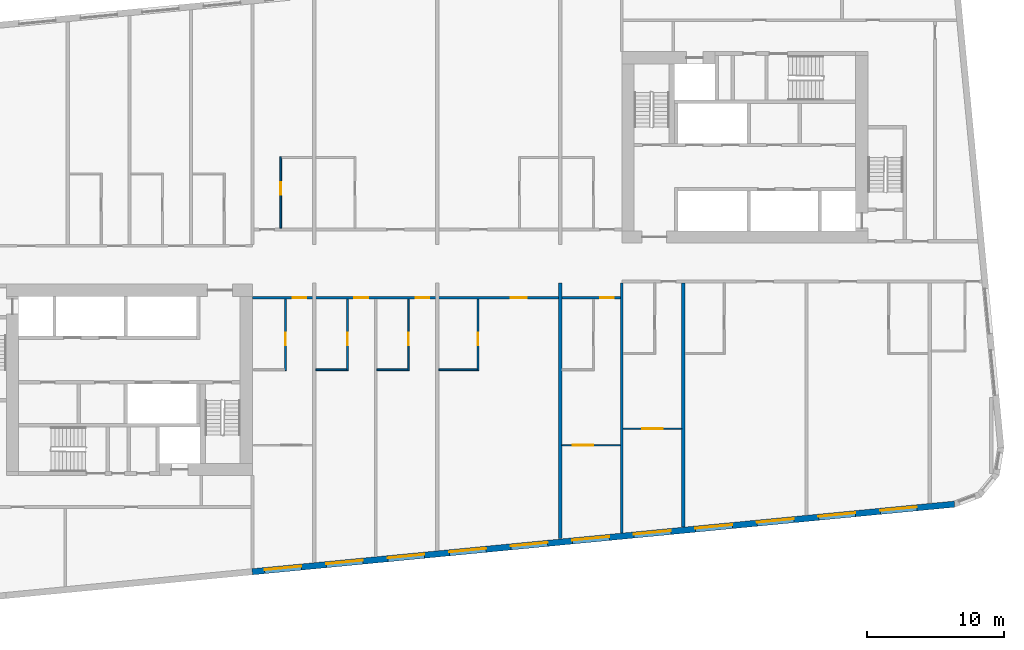
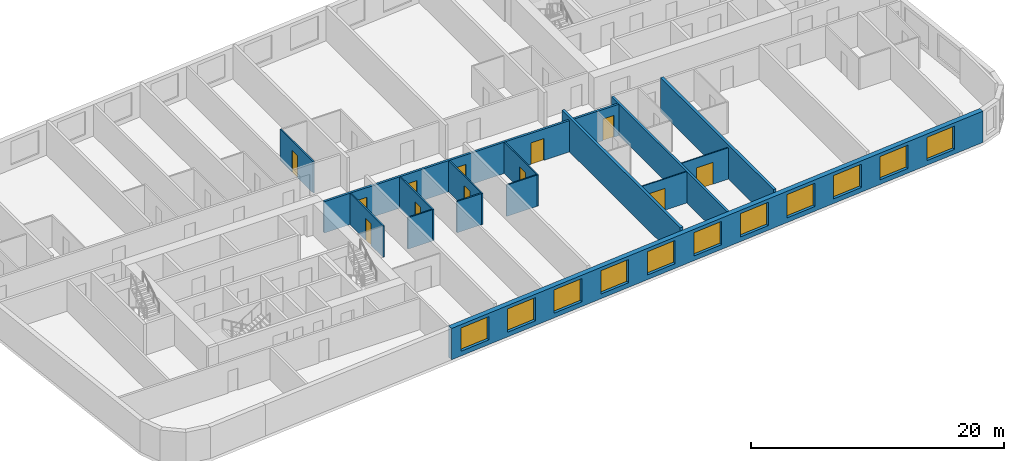
# One storey, part 4 of 12: 15 walls, 12 doors, 11 windows, 23 openings.
"""IFC4 building model written with IfcOpenShell, lengths in metres."""

from ifc_helpers import new_model, si_unit, direction, frame, frame_2d, origin, place, context, subcontext, project, spatial, rectangle, extrude, material, layer, layer_set, type_object, element, fill, save


model = new_model("IFC4")

# Units and contexts
model_context = context("Model", 3, precision=1e-05, world=origin(), true_north=direction((0.0, 1.0)))
body_context = subcontext(model_context, "Body", "Model", "MODEL_VIEW")
ifc_project = project(units=[si_unit("LENGTHUNIT", "METRE"), si_unit("AREAUNIT", "SQUARE_METRE"), si_unit("VOLUMEUNIT", "CUBIC_METRE"), si_unit("PLANEANGLEUNIT", "RADIAN"), si_unit("MASSUNIT", "GRAM", prefix="KILO")], contexts=[model_context])

# Site, building, storey
site_placement = place(None, origin())
site = spatial("IfcSite", under=ifc_project, at=site_placement, CompositionType="ELEMENT")
building_placement = place(site_placement, origin())
building = spatial("IfcBuilding", under=site, at=building_placement, Name="Kajstack Hotel Tower", CompositionType="ELEMENT")
storey_placement = place(building_placement, frame((0.0, 0.0, 180.10009765625)))
storey = spatial("IfcBuildingStorey", under=building, at=storey_placement, Name="L42", CompositionType="ELEMENT", Elevation=180.10009765625)

# Wall, openings, doors
ifc_material_1 = material(Name="Gypsum board on steel studs, mineral wool", Category="steel")
ifc_layer_1 = layer(ifc_material_1, 0.199951171875)
ifc_layer_set_1 = layer_set([ifc_layer_1], Name="Corridor wall 200")
wall_type_1 = type_object("IfcWallType", Name="Corridor wall 200", PredefinedType="PARTITIONING", material=ifc_layer_set_1)
wall_1_placement = place(storey_placement, frame((-13.5, -2.5, 0.0), z_axis=(0.0, 0.0, 1.0), x_axis=(1.0, 0.0, 0.0)))
wall_1 = element("IfcWall", 1, at=wall_1_placement, inside=storey, type_object=wall_type_1, Name="G-wall-L42-025", PredefinedType="PARTITIONING", context=body_context, shape_type="SweptSolid", body=[
    extrude(rectangle(XDim=27.0, YDim=0.199951171875, at=frame_2d((13.5, 0.0))), origin(), (0.0, 0.0, 1.0), 3.02001953125),
])
opening_1_placement = place(wall_1_placement, frame((2.925048828125, 0.0, 0.0)))
opening_1 = element("IfcOpeningElement", 2, at=opening_1_placement, cuts=wall_1, Name="Opening 42019", PredefinedType="OPENING", context=body_context, shape_type="SweptSolid", body=[
    extrude(rectangle(XDim=1.0, YDim=2.10009765625, at=frame_2d((0.5, 1.050048828125))), frame((0.0, 0.10986328125, 0.0), z_axis=(0.0, -1.0, 0.0), x_axis=(1.0, 0.0, 0.0)), (0.0, 0.0, 1.0), 0.219970703125),
])
opening_2_placement = place(wall_1_placement, frame((7.449951171875, 0.0, 0.0)))
opening_2 = element("IfcOpeningElement", 3, at=opening_2_placement, cuts=wall_1, Name="Opening 42022", PredefinedType="OPENING", context=body_context, shape_type="SweptSolid", body=[
    extrude(rectangle(XDim=1.0, YDim=2.10009765625, at=frame_2d((0.5, 1.050048828125))), frame((0.0, 0.10986328125, 0.0), z_axis=(0.0, -1.0, 0.0), x_axis=(1.0, 0.0, 0.0)), (0.0, 0.0, 1.0), 0.219970703125),
])
opening_3_placement = place(wall_1_placement, frame((11.925048828125, 0.0, 0.0)))
opening_3 = element("IfcOpeningElement", 4, at=opening_3_placement, cuts=wall_1, Name="Opening 42024", PredefinedType="OPENING", context=body_context, shape_type="SweptSolid", body=[
    extrude(rectangle(XDim=1.0, YDim=2.10009765625, at=frame_2d((0.5, 1.050048828125))), frame((0.0, 0.10986328125, 0.0), z_axis=(0.0, -1.0, 0.0), x_axis=(1.0, 0.0, 0.0)), (0.0, 0.0, 1.0), 0.219970703125),
])
opening_4_placement = place(wall_1_placement, frame((18.862060546875, 0.0, 0.0)))
opening_4 = element("IfcOpeningElement", 5, at=opening_4_placement, cuts=wall_1, Name="Opening 42026", PredefinedType="OPENING", context=body_context, shape_type="SweptSolid", body=[
    extrude(rectangle(XDim=1.199951171875, YDim=2.10009765625, at=frame_2d((0.60009765625, 1.050048828125))), frame((0.0, 0.10986328125, 0.0), z_axis=(0.0, -1.0, 0.0), x_axis=(1.0, 0.0, 0.0)), (0.0, 0.0, 1.0), 0.219970703125),
])
opening_5_placement = place(wall_1_placement, frame((25.425048828125, 0.0, 0.0)))
opening_5 = element("IfcOpeningElement", 6, at=opening_5_placement, cuts=wall_1, Name="Opening 42028", PredefinedType="OPENING", context=body_context, shape_type="SweptSolid", body=[
    extrude(rectangle(XDim=1.0, YDim=2.10009765625, at=frame_2d((0.5, 1.050048828125))), frame((0.0, 0.10986328125, 0.0), z_axis=(0.0, -1.0, 0.0), x_axis=(1.0, 0.0, 0.0)), (0.0, 0.0, 1.0), 0.219970703125),
])
ifc_material_2 = material(Name="Oak veneer on timber core, fire-rated leaf", Category="wood")
door_type_1 = type_object("IfcDoorType", Name="Flat entrance door 1000", OperationType="SINGLE_SWING_LEFT", PredefinedType="DOOR", material=ifc_material_2)
door_1_placement = place(opening_1_placement, origin())
door_1 = element("IfcDoor", 7, at=door_1_placement, inside=storey, type_object=door_type_1, Name="G-door-L42-19", OperationType="SINGLE_SWING_LEFT", OverallHeight=2.10009765625, OverallWidth=1.0, PredefinedType="DOOR", context=body_context, shape_type="SweptSolid", body=[
    extrude(rectangle(XDim=1.0, YDim=2.10009765625, at=frame_2d((0.5, 1.050048828125))), frame((0.0, 0.02490234375, 0.0), z_axis=(0.0, -1.0, 0.0), x_axis=(1.0, 0.0, 0.0)), (0.0, 0.0, 1.0), 0.050048828125),
])
fill(opening_1, door_1)
door_2_placement = place(opening_2_placement, origin())
door_2 = element("IfcDoor", 8, at=door_2_placement, inside=storey, type_object=door_type_1, Name="G-door-L42-22", OperationType="SINGLE_SWING_RIGHT", OverallHeight=2.10009765625, OverallWidth=1.0, PredefinedType="DOOR", context=body_context, shape_type="SweptSolid", body=[
    extrude(rectangle(XDim=1.0, YDim=2.10009765625, at=frame_2d((0.5, 1.050048828125))), frame((0.0, 0.02490234375, 0.0), z_axis=(0.0, -1.0, 0.0), x_axis=(1.0, 0.0, 0.0)), (0.0, 0.0, 1.0), 0.050048828125),
])
fill(opening_2, door_2)
door_3_placement = place(opening_3_placement, origin())
door_3 = element("IfcDoor", 9, at=door_3_placement, inside=storey, type_object=door_type_1, Name="G-door-L42-24", OperationType="SINGLE_SWING_RIGHT", OverallHeight=2.10009765625, OverallWidth=1.0, PredefinedType="DOOR", context=body_context, shape_type="SweptSolid", body=[
    extrude(rectangle(XDim=1.0, YDim=2.10009765625, at=frame_2d((0.5, 1.050048828125))), frame((0.0, 0.02490234375, 0.0), z_axis=(0.0, -1.0, 0.0), x_axis=(1.0, 0.0, 0.0)), (0.0, 0.0, 1.0), 0.050048828125),
])
fill(opening_3, door_3)
door_4_placement = place(opening_5_placement, origin())
door_4 = element("IfcDoor", 10, at=door_4_placement, inside=storey, type_object=door_type_1, Name="G-door-L42-28", OperationType="SINGLE_SWING_LEFT", OverallHeight=2.10009765625, OverallWidth=1.0, PredefinedType="DOOR", context=body_context, shape_type="SweptSolid", body=[
    extrude(rectangle(XDim=1.0, YDim=2.10009765625, at=frame_2d((0.5, 1.050048828125))), frame((0.0, 0.02490234375, 0.0), z_axis=(0.0, -1.0, 0.0), x_axis=(1.0, 0.0, 0.0)), (0.0, 0.0, 1.0), 0.050048828125),
])
fill(opening_5, door_4)
door_type_2 = type_object("IfcDoorType", Name="Flat entrance door 1200", OperationType="SINGLE_SWING_LEFT", PredefinedType="DOOR", material=ifc_material_2)
door_5_placement = place(opening_4_placement, origin())
door_5 = element("IfcDoor", 11, at=door_5_placement, inside=storey, type_object=door_type_2, Name="G-door-L42-26", OperationType="SINGLE_SWING_LEFT", OverallHeight=2.10009765625, OverallWidth=1.199951171875, PredefinedType="DOOR", context=body_context, shape_type="SweptSolid", body=[
    extrude(rectangle(XDim=1.199951171875, YDim=2.10009765625, at=frame_2d((0.60009765625, 1.050048828125))), frame((0.0, 0.02490234375, 0.0), z_axis=(0.0, -1.0, 0.0), x_axis=(1.0, 0.0, 0.0)), (0.0, 0.0, 1.0), 0.050048828125),
])
fill(opening_4, door_5)

# Wall
ifc_material_3 = material(Name="Twin-frame gypsum board on steel studs, mineral wool", Category="steel")
ifc_layer_2 = layer(ifc_material_3, 0.199951171875)
ifc_layer_set_2 = layer_set([ifc_layer_2], Name="Demising wall 200")
wall_type_2 = type_object("IfcWallType", Name="Demising wall 200", PredefinedType="PARTITIONING", material=ifc_layer_set_2)
wall_2_placement = place(storey_placement, frame((13.5, -19.700927734375, 0.0), z_axis=(0.0, 0.0, 1.0), x_axis=(0.0, 1.0, 0.0)))
element("IfcWall", 12, at=wall_2_placement, inside=storey, type_object=wall_type_2, Name="G-wall-L42-037", PredefinedType="PARTITIONING", context=body_context, shape_type="SweptSolid", body=[
    extrude(rectangle(XDim=18.301025390625, YDim=0.199951171875, at=frame_2d((9.150390625, 0.0))), origin(), (0.0, 0.0, 1.0), 3.02001953125),
])

# Wall, openings, windows
ifc_material_4 = material(Name="Terracotta-faced brick masonry", Category="masonry")
ifc_layer_3 = layer(ifc_material_4, 0.449951171875)
ifc_layer_set_3 = layer_set([ifc_layer_3], Name="EW-TERRA")
wall_type_3 = type_object("IfcWallType", Name="EW-TERRA", PredefinedType="SOLIDWALL", material=ifc_layer_set_3)
wall_3_placement = place(storey_placement, frame((-13.521484375, -22.528564453125, 0.0), z_axis=(0.0, 0.0, 1.0), x_axis=(0.995396436651, 0.095843277819, 0.0)))
wall_3 = element("IfcWall", 13, at=wall_3_placement, inside=storey, type_object=wall_type_3, Name="E-wall-L42-04-02", PredefinedType="SOLIDWALL", context=body_context, shape_type="SweptSolid", body=[
    extrude(rectangle(XDim=51.57763671875, YDim=0.449951171875, at=frame_2d((25.788818359375, 0.0))), origin(), (0.0, 0.0, 1.0), 3.02001953125),
])
opening_6_placement = place(wall_3_placement, frame((0.910400390625, 0.0, 0.449951171875)))
opening_6 = element("IfcOpeningElement", 14, at=opening_6_placement, cuts=wall_3, Name="Opening W1", PredefinedType="OPENING", context=body_context, shape_type="SweptSolid", body=[
    extrude(rectangle(XDim=2.699951171875, YDim=2.25, at=frame_2d((1.35009765625, 1.125))), frame((0.0, 0.23486328125, 0.0), z_axis=(0.0, -1.0, 0.0), x_axis=(1.0, 0.0, 0.0)), (0.0, 0.0, 1.0), 0.469970703125),
])
opening_7_placement = place(wall_3_placement, frame((5.431396484375, 0.0, 0.449951171875)))
opening_7 = element("IfcOpeningElement", 15, at=opening_7_placement, cuts=wall_3, Name="Opening W1", PredefinedType="OPENING", context=body_context, shape_type="SweptSolid", body=[
    extrude(rectangle(XDim=2.699951171875, YDim=2.25, at=frame_2d((1.35009765625, 1.125))), frame((0.0, 0.23486328125, 0.0), z_axis=(0.0, -1.0, 0.0), x_axis=(1.0, 0.0, 0.0)), (0.0, 0.0, 1.0), 0.469970703125),
])
opening_8_placement = place(wall_3_placement, frame((9.9521484375, 0.0, 0.449951171875)))
opening_8 = element("IfcOpeningElement", 16, at=opening_8_placement, cuts=wall_3, Name="Opening W1", PredefinedType="OPENING", context=body_context, shape_type="SweptSolid", body=[
    extrude(rectangle(XDim=2.699951171875, YDim=2.25, at=frame_2d((1.35009765625, 1.125))), frame((0.0, 0.23486328125, 0.0), z_axis=(0.0, -1.0, 0.0), x_axis=(1.0, 0.0, 0.0)), (0.0, 0.0, 1.0), 0.469970703125),
])
opening_9_placement = place(wall_3_placement, frame((14.472900390625, 0.0, 0.449951171875)))
opening_9 = element("IfcOpeningElement", 17, at=opening_9_placement, cuts=wall_3, Name="Opening W1", PredefinedType="OPENING", context=body_context, shape_type="SweptSolid", body=[
    extrude(rectangle(XDim=2.699951171875, YDim=2.25, at=frame_2d((1.35009765625, 1.125))), frame((0.0, 0.23486328125, 0.0), z_axis=(0.0, -1.0, 0.0), x_axis=(1.0, 0.0, 0.0)), (0.0, 0.0, 1.0), 0.469970703125),
])
opening_10_placement = place(wall_3_placement, frame((18.99365234375, 0.0, 0.449951171875)))
opening_10 = element("IfcOpeningElement", 18, at=opening_10_placement, cuts=wall_3, Name="Opening W1", PredefinedType="OPENING", context=body_context, shape_type="SweptSolid", body=[
    extrude(rectangle(XDim=2.699951171875, YDim=2.25, at=frame_2d((1.35009765625, 1.125))), frame((0.0, 0.23486328125, 0.0), z_axis=(0.0, -1.0, 0.0), x_axis=(1.0, 0.0, 0.0)), (0.0, 0.0, 1.0), 0.469970703125),
])
opening_11_placement = place(wall_3_placement, frame((23.514404296875, 0.0, 0.449951171875)))
opening_11 = element("IfcOpeningElement", 19, at=opening_11_placement, cuts=wall_3, Name="Opening W1", PredefinedType="OPENING", context=body_context, shape_type="SweptSolid", body=[
    extrude(rectangle(XDim=2.699951171875, YDim=2.25, at=frame_2d((1.35009765625, 1.125))), frame((0.0, 0.23486328125, 0.0), z_axis=(0.0, -1.0, 0.0), x_axis=(1.0, 0.0, 0.0)), (0.0, 0.0, 1.0), 0.469970703125),
])
opening_12_placement = place(wall_3_placement, frame((28.035400390625, 0.0, 0.449951171875)))
opening_12 = element("IfcOpeningElement", 20, at=opening_12_placement, cuts=wall_3, Name="Opening W1", PredefinedType="OPENING", context=body_context, shape_type="SweptSolid", body=[
    extrude(rectangle(XDim=2.699951171875, YDim=2.25, at=frame_2d((1.35009765625, 1.125))), frame((0.0, 0.23486328125, 0.0), z_axis=(0.0, -1.0, 0.0), x_axis=(1.0, 0.0, 0.0)), (0.0, 0.0, 1.0), 0.469970703125),
])
opening_13_placement = place(wall_3_placement, frame((32.55615234375, 0.0, 0.449951171875)))
opening_13 = element("IfcOpeningElement", 21, at=opening_13_placement, cuts=wall_3, Name="Opening W1", PredefinedType="OPENING", context=body_context, shape_type="SweptSolid", body=[
    extrude(rectangle(XDim=2.699951171875, YDim=2.25, at=frame_2d((1.35009765625, 1.125))), frame((0.0, 0.23486328125, 0.0), z_axis=(0.0, -1.0, 0.0), x_axis=(1.0, 0.0, 0.0)), (0.0, 0.0, 1.0), 0.469970703125),
])
opening_14_placement = place(wall_3_placement, frame((37.076904296875, 0.0, 0.449951171875)))
opening_14 = element("IfcOpeningElement", 22, at=opening_14_placement, cuts=wall_3, Name="Opening W1", PredefinedType="OPENING", context=body_context, shape_type="SweptSolid", body=[
    extrude(rectangle(XDim=2.699951171875, YDim=2.25, at=frame_2d((1.35009765625, 1.125))), frame((0.0, 0.23486328125, 0.0), z_axis=(0.0, -1.0, 0.0), x_axis=(1.0, 0.0, 0.0)), (0.0, 0.0, 1.0), 0.469970703125),
])
opening_15_placement = place(wall_3_placement, frame((41.597900390625, 0.0, 0.449951171875)))
opening_15 = element("IfcOpeningElement", 23, at=opening_15_placement, cuts=wall_3, Name="Opening W1", PredefinedType="OPENING", context=body_context, shape_type="SweptSolid", body=[
    extrude(rectangle(XDim=2.699951171875, YDim=2.25, at=frame_2d((1.35009765625, 1.125))), frame((0.0, 0.23486328125, 0.0), z_axis=(0.0, -1.0, 0.0), x_axis=(1.0, 0.0, 0.0)), (0.0, 0.0, 1.0), 0.469970703125),
])
opening_16_placement = place(wall_3_placement, frame((46.11865234375, 0.0, 0.449951171875)))
opening_16 = element("IfcOpeningElement", 24, at=opening_16_placement, cuts=wall_3, Name="Opening W1", PredefinedType="OPENING", context=body_context, shape_type="SweptSolid", body=[
    extrude(rectangle(XDim=2.699951171875, YDim=2.25, at=frame_2d((1.35009765625, 1.125))), frame((0.0, 0.23486328125, 0.0), z_axis=(0.0, -1.0, 0.0), x_axis=(1.0, 0.0, 0.0)), (0.0, 0.0, 1.0), 0.469970703125),
])
ifc_material_5 = material(Name="Timber-aluminium window, triple glazed", Category="wood")
window_type = type_object("IfcWindowType", Name="WG1", PartitioningType="SINGLE_PANEL", PredefinedType="WINDOW", material=ifc_material_5)
window_1_placement = place(opening_6_placement, origin())
window_1 = element("IfcWindow", 25, at=window_1_placement, inside=storey, type_object=window_type, Name="Window W1 L42-04", OverallHeight=2.25, OverallWidth=2.699951171875, PartitioningType="SINGLE_PANEL", PredefinedType="WINDOW", context=body_context, shape_type="SweptSolid", body=[
    extrude(rectangle(XDim=2.699951171875, YDim=2.25, at=frame_2d((1.35009765625, 1.125))), frame((0.0, 0.090087890625, 0.0), z_axis=(0.0, -1.0, 0.0), x_axis=(1.0, 0.0, 0.0)), (0.0, 0.0, 1.0), 0.06005859375),
])
fill(opening_6, window_1)
window_2_placement = place(opening_7_placement, origin())
window_2 = element("IfcWindow", 26, at=window_2_placement, inside=storey, type_object=window_type, Name="Window W1 L42-04", OverallHeight=2.25, OverallWidth=2.699951171875, PartitioningType="SINGLE_PANEL", PredefinedType="WINDOW", context=body_context, shape_type="SweptSolid", body=[
    extrude(rectangle(XDim=2.699951171875, YDim=2.25, at=frame_2d((1.35009765625, 1.125))), frame((0.0, 0.090087890625, 0.0), z_axis=(0.0, -1.0, 0.0), x_axis=(1.0, 0.0, 0.0)), (0.0, 0.0, 1.0), 0.06005859375),
])
fill(opening_7, window_2)
window_3_placement = place(opening_8_placement, origin())
window_3 = element("IfcWindow", 27, at=window_3_placement, inside=storey, type_object=window_type, Name="Window W1 L42-04", OverallHeight=2.25, OverallWidth=2.699951171875, PartitioningType="SINGLE_PANEL", PredefinedType="WINDOW", context=body_context, shape_type="SweptSolid", body=[
    extrude(rectangle(XDim=2.699951171875, YDim=2.25, at=frame_2d((1.35009765625, 1.125))), frame((0.0, 0.090087890625, 0.0), z_axis=(0.0, -1.0, 0.0), x_axis=(1.0, 0.0, 0.0)), (0.0, 0.0, 1.0), 0.06005859375),
])
fill(opening_8, window_3)
window_4_placement = place(opening_9_placement, origin())
window_4 = element("IfcWindow", 28, at=window_4_placement, inside=storey, type_object=window_type, Name="Window W1 L42-04", OverallHeight=2.25, OverallWidth=2.699951171875, PartitioningType="SINGLE_PANEL", PredefinedType="WINDOW", context=body_context, shape_type="SweptSolid", body=[
    extrude(rectangle(XDim=2.699951171875, YDim=2.25, at=frame_2d((1.35009765625, 1.125))), frame((0.0, 0.090087890625, 0.0), z_axis=(0.0, -1.0, 0.0), x_axis=(1.0, 0.0, 0.0)), (0.0, 0.0, 1.0), 0.06005859375),
])
fill(opening_9, window_4)
window_5_placement = place(opening_10_placement, origin())
window_5 = element("IfcWindow", 29, at=window_5_placement, inside=storey, type_object=window_type, Name="Window W1 L42-04", OverallHeight=2.25, OverallWidth=2.699951171875, PartitioningType="SINGLE_PANEL", PredefinedType="WINDOW", context=body_context, shape_type="SweptSolid", body=[
    extrude(rectangle(XDim=2.699951171875, YDim=2.25, at=frame_2d((1.35009765625, 1.125))), frame((0.0, 0.090087890625, 0.0), z_axis=(0.0, -1.0, 0.0), x_axis=(1.0, 0.0, 0.0)), (0.0, 0.0, 1.0), 0.06005859375),
])
fill(opening_10, window_5)
window_6_placement = place(opening_11_placement, origin())
window_6 = element("IfcWindow", 30, at=window_6_placement, inside=storey, type_object=window_type, Name="Window W1 L42-04", OverallHeight=2.25, OverallWidth=2.699951171875, PartitioningType="SINGLE_PANEL", PredefinedType="WINDOW", context=body_context, shape_type="SweptSolid", body=[
    extrude(rectangle(XDim=2.699951171875, YDim=2.25, at=frame_2d((1.35009765625, 1.125))), frame((0.0, 0.090087890625, 0.0), z_axis=(0.0, -1.0, 0.0), x_axis=(1.0, 0.0, 0.0)), (0.0, 0.0, 1.0), 0.06005859375),
])
fill(opening_11, window_6)
window_7_placement = place(opening_12_placement, origin())
window_7 = element("IfcWindow", 31, at=window_7_placement, inside=storey, type_object=window_type, Name="Window W1 L42-04", OverallHeight=2.25, OverallWidth=2.699951171875, PartitioningType="SINGLE_PANEL", PredefinedType="WINDOW", context=body_context, shape_type="SweptSolid", body=[
    extrude(rectangle(XDim=2.699951171875, YDim=2.25, at=frame_2d((1.35009765625, 1.125))), frame((0.0, 0.090087890625, 0.0), z_axis=(0.0, -1.0, 0.0), x_axis=(1.0, 0.0, 0.0)), (0.0, 0.0, 1.0), 0.06005859375),
])
fill(opening_12, window_7)
window_8_placement = place(opening_13_placement, origin())
window_8 = element("IfcWindow", 32, at=window_8_placement, inside=storey, type_object=window_type, Name="Window W1 L42-04", OverallHeight=2.25, OverallWidth=2.699951171875, PartitioningType="SINGLE_PANEL", PredefinedType="WINDOW", context=body_context, shape_type="SweptSolid", body=[
    extrude(rectangle(XDim=2.699951171875, YDim=2.25, at=frame_2d((1.35009765625, 1.125))), frame((0.0, 0.090087890625, 0.0), z_axis=(0.0, -1.0, 0.0), x_axis=(1.0, 0.0, 0.0)), (0.0, 0.0, 1.0), 0.06005859375),
])
fill(opening_13, window_8)
window_9_placement = place(opening_14_placement, origin())
window_9 = element("IfcWindow", 33, at=window_9_placement, inside=storey, type_object=window_type, Name="Window W1 L42-04", OverallHeight=2.25, OverallWidth=2.699951171875, PartitioningType="SINGLE_PANEL", PredefinedType="WINDOW", context=body_context, shape_type="SweptSolid", body=[
    extrude(rectangle(XDim=2.699951171875, YDim=2.25, at=frame_2d((1.35009765625, 1.125))), frame((0.0, 0.090087890625, 0.0), z_axis=(0.0, -1.0, 0.0), x_axis=(1.0, 0.0, 0.0)), (0.0, 0.0, 1.0), 0.06005859375),
])
fill(opening_14, window_9)
window_10_placement = place(opening_15_placement, origin())
window_10 = element("IfcWindow", 34, at=window_10_placement, inside=storey, type_object=window_type, Name="Window W1 L42-04", OverallHeight=2.25, OverallWidth=2.699951171875, PartitioningType="SINGLE_PANEL", PredefinedType="WINDOW", context=body_context, shape_type="SweptSolid", body=[
    extrude(rectangle(XDim=2.699951171875, YDim=2.25, at=frame_2d((1.35009765625, 1.125))), frame((0.0, 0.090087890625, 0.0), z_axis=(0.0, -1.0, 0.0), x_axis=(1.0, 0.0, 0.0)), (0.0, 0.0, 1.0), 0.06005859375),
])
fill(opening_15, window_10)
window_11_placement = place(opening_16_placement, origin())
window_11 = element("IfcWindow", 35, at=window_11_placement, inside=storey, type_object=window_type, Name="Window W1 L42-04", OverallHeight=2.25, OverallWidth=2.699951171875, PartitioningType="SINGLE_PANEL", PredefinedType="WINDOW", context=body_context, shape_type="SweptSolid", body=[
    extrude(rectangle(XDim=2.699951171875, YDim=2.25, at=frame_2d((1.35009765625, 1.125))), frame((0.0, 0.090087890625, 0.0), z_axis=(0.0, -1.0, 0.0), x_axis=(1.0, 0.0, 0.0)), (0.0, 0.0, 1.0), 0.06005859375),
])
fill(opening_16, window_11)

# Wall, opening, door
ifc_material_6 = material(Name="Gypsum board and tiled backer on steel studs", Category="steel")
ifc_layer_4 = layer(ifc_material_6, 0.125)
ifc_layer_set_4 = layer_set([ifc_layer_4], Name="En-suite wall 125")
wall_type_4 = type_object("IfcWallType", Name="En-suite wall 125", PredefinedType="PARTITIONING", material=ifc_layer_set_4)
wall_4_placement = place(storey_placement, frame((-11.43798828125, 2.60009765625, 0.0), z_axis=(0.0, 0.0, 1.0), x_axis=(0.0, 1.0, 0.0)))
wall_4 = element("IfcWall", 36, at=wall_4_placement, inside=storey, type_object=wall_type_4, Name="G-wall-L42-017", PredefinedType="PARTITIONING", context=body_context, shape_type="SweptSolid", body=[
    extrude(rectangle(XDim=5.224853515625, YDim=0.125, at=frame_2d((2.6123046875, 0.0))), origin(), (0.0, 0.0, 1.0), 3.02001953125),
])
opening_17_placement = place(wall_4_placement, frame((2.449951171875, 0.0, 0.0)))
opening_17 = element("IfcOpeningElement", 37, at=opening_17_placement, cuts=wall_4, Name="Opening 42012", PredefinedType="OPENING", context=body_context, shape_type="SweptSolid", body=[
    extrude(rectangle(XDim=0.89990234375, YDim=2.10009765625, at=frame_2d((0.449951171875, 1.050048828125))), frame((0.0, 0.072509765625, 0.0), z_axis=(0.0, -1.0, 0.0), x_axis=(1.0, 0.0, 0.0)), (0.0, 0.0, 1.0), 0.14501953125),
])
ifc_material_7 = material(Name="Painted timber door leaf", Category="wood")
door_type_3 = type_object("IfcDoorType", Name="Room door 900", OperationType="SINGLE_SWING_LEFT", PredefinedType="DOOR", material=ifc_material_7)
door_6_placement = place(opening_17_placement, origin())
door_6 = element("IfcDoor", 38, at=door_6_placement, inside=storey, type_object=door_type_3, Name="G-door-L42-12", OperationType="SINGLE_SWING_LEFT", OverallHeight=2.10009765625, OverallWidth=0.89990234375, PredefinedType="DOOR", context=body_context, shape_type="SweptSolid", body=[
    extrude(rectangle(XDim=0.89990234375, YDim=2.10009765625, at=frame_2d((0.449951171875, 1.050048828125))), frame((0.0, 0.02490234375, 0.0), z_axis=(0.0, -1.0, 0.0), x_axis=(1.0, 0.0, 0.0)), (0.0, 0.0, 1.0), 0.050048828125),
])
fill(opening_17, door_6)

wall_5_placement = place(storey_placement, frame((-11.087890625, -7.824951171875, 0.0), z_axis=(0.0, 0.0, 1.0), x_axis=(0.0, 1.0, 0.0)))
wall_5 = element("IfcWall", 39, at=wall_5_placement, inside=storey, type_object=wall_type_4, Name="G-wall-L42-027", PredefinedType="PARTITIONING", context=body_context, shape_type="SweptSolid", body=[
    extrude(rectangle(XDim=5.224853515625, YDim=0.125, at=frame_2d((2.6123046875, 0.0))), origin(), (0.0, 0.0, 1.0), 3.02001953125),
])
opening_18_placement = place(wall_5_placement, frame((1.875, 0.0, 0.0)))
opening_18 = element("IfcOpeningElement", 40, at=opening_18_placement, cuts=wall_5, Name="Opening 42020", PredefinedType="OPENING", context=body_context, shape_type="SweptSolid", body=[
    extrude(rectangle(XDim=0.89990234375, YDim=2.10009765625, at=frame_2d((0.449951171875, 1.050048828125))), frame((0.0, 0.072509765625, 0.0), z_axis=(0.0, -1.0, 0.0), x_axis=(1.0, 0.0, 0.0)), (0.0, 0.0, 1.0), 0.14501953125),
])
door_7_placement = place(opening_18_placement, origin())
door_7 = element("IfcDoor", 41, at=door_7_placement, inside=storey, type_object=door_type_3, Name="G-door-L42-20", OperationType="SINGLE_SWING_RIGHT", OverallHeight=2.10009765625, OverallWidth=0.89990234375, PredefinedType="DOOR", context=body_context, shape_type="SweptSolid", body=[
    extrude(rectangle(XDim=0.89990234375, YDim=2.10009765625, at=frame_2d((0.449951171875, 1.050048828125))), frame((0.0, 0.02490234375, 0.0), z_axis=(0.0, -1.0, 0.0), x_axis=(1.0, 0.0, 0.0)), (0.0, 0.0, 1.0), 0.050048828125),
])
fill(opening_18, door_7)

wall_6_placement = place(storey_placement, frame((-6.56201171875, -7.824951171875, 0.0), z_axis=(0.0, 0.0, 1.0), x_axis=(0.0, 1.0, 0.0)))
wall_6 = element("IfcWall", 42, at=wall_6_placement, inside=storey, type_object=wall_type_4, Name="G-wall-L42-031", PredefinedType="PARTITIONING", context=body_context, shape_type="SweptSolid", body=[
    extrude(rectangle(XDim=5.224853515625, YDim=0.125, at=frame_2d((2.6123046875, 0.0))), origin(), (0.0, 0.0, 1.0), 3.02001953125),
])
opening_19_placement = place(wall_6_placement, frame((1.875, 0.0, 0.0)))
opening_19 = element("IfcOpeningElement", 43, at=opening_19_placement, cuts=wall_6, Name="Opening 42023", PredefinedType="OPENING", context=body_context, shape_type="SweptSolid", body=[
    extrude(rectangle(XDim=0.89990234375, YDim=2.10009765625, at=frame_2d((0.449951171875, 1.050048828125))), frame((0.0, 0.072509765625, 0.0), z_axis=(0.0, -1.0, 0.0), x_axis=(1.0, 0.0, 0.0)), (0.0, 0.0, 1.0), 0.14501953125),
])
door_8_placement = place(opening_19_placement, origin())
door_8 = element("IfcDoor", 44, at=door_8_placement, inside=storey, type_object=door_type_3, Name="G-door-L42-23", OperationType="SINGLE_SWING_LEFT", OverallHeight=2.10009765625, OverallWidth=0.89990234375, PredefinedType="DOOR", context=body_context, shape_type="SweptSolid", body=[
    extrude(rectangle(XDim=0.89990234375, YDim=2.10009765625, at=frame_2d((0.449951171875, 1.050048828125))), frame((0.0, 0.02490234375, 0.0), z_axis=(0.0, -1.0, 0.0), x_axis=(1.0, 0.0, 0.0)), (0.0, 0.0, 1.0), 0.050048828125),
])
fill(opening_19, door_8)

# Wall
wall_7_placement = place(storey_placement, frame((-8.875, -7.761962890625, 0.0), z_axis=(0.0, 0.0, 1.0), x_axis=(1.0, 0.0, 0.0)))
element("IfcWall", 45, at=wall_7_placement, inside=storey, type_object=wall_type_4, Name="G-wall-L42-032", PredefinedType="PARTITIONING", context=body_context, shape_type="SweptSolid", body=[
    extrude(rectangle(XDim=2.25, YDim=0.125, at=frame_2d((1.125, 0.0))), origin(), (0.0, 0.0, 1.0), 3.02001953125),
])

# Wall, opening, door
wall_8_placement = place(storey_placement, frame((-2.0869140625, -7.824951171875, 0.0), z_axis=(0.0, 0.0, 1.0), x_axis=(0.0, 1.0, 0.0)))
wall_8 = element("IfcWall", 46, at=wall_8_placement, inside=storey, type_object=wall_type_4, Name="G-wall-L42-033", PredefinedType="PARTITIONING", context=body_context, shape_type="SweptSolid", body=[
    extrude(rectangle(XDim=5.224853515625, YDim=0.125, at=frame_2d((2.6123046875, 0.0))), origin(), (0.0, 0.0, 1.0), 3.02001953125),
])
opening_20_placement = place(wall_8_placement, frame((1.875, 0.0, 0.0)))
opening_20 = element("IfcOpeningElement", 47, at=opening_20_placement, cuts=wall_8, Name="Opening 42025", PredefinedType="OPENING", context=body_context, shape_type="SweptSolid", body=[
    extrude(rectangle(XDim=0.89990234375, YDim=2.10009765625, at=frame_2d((0.449951171875, 1.050048828125))), frame((0.0, 0.072509765625, 0.0), z_axis=(0.0, -1.0, 0.0), x_axis=(1.0, 0.0, 0.0)), (0.0, 0.0, 1.0), 0.14501953125),
])
door_9_placement = place(opening_20_placement, origin())
door_9 = element("IfcDoor", 48, at=door_9_placement, inside=storey, type_object=door_type_3, Name="G-door-L42-25", OperationType="SINGLE_SWING_LEFT", OverallHeight=2.10009765625, OverallWidth=0.89990234375, PredefinedType="DOOR", context=body_context, shape_type="SweptSolid", body=[
    extrude(rectangle(XDim=0.89990234375, YDim=2.10009765625, at=frame_2d((0.449951171875, 1.050048828125))), frame((0.0, 0.02490234375, 0.0), z_axis=(0.0, -1.0, 0.0), x_axis=(1.0, 0.0, 0.0)), (0.0, 0.0, 1.0), 0.050048828125),
])
fill(opening_20, door_9)

# Wall
wall_9_placement = place(storey_placement, frame((-4.39990234375, -7.761962890625, 0.0), z_axis=(0.0, 0.0, 1.0), x_axis=(1.0, 0.0, 0.0)))
element("IfcWall", 49, at=wall_9_placement, inside=storey, type_object=wall_type_4, Name="G-wall-L42-034", PredefinedType="PARTITIONING", context=body_context, shape_type="SweptSolid", body=[
    extrude(rectangle(XDim=2.25, YDim=0.125, at=frame_2d((1.125, 0.0))), origin(), (0.0, 0.0, 1.0), 3.02001953125),
])

# Wall, opening, door
wall_10_placement = place(storey_placement, frame((2.987060546875, -7.824951171875, 0.0), z_axis=(0.0, 0.0, 1.0), x_axis=(0.0, 1.0, 0.0)))
wall_10 = element("IfcWall", 50, at=wall_10_placement, inside=storey, type_object=wall_type_4, Name="G-wall-L42-035", PredefinedType="PARTITIONING", context=body_context, shape_type="SweptSolid", body=[
    extrude(rectangle(XDim=5.224853515625, YDim=0.125, at=frame_2d((2.6123046875, 0.0))), origin(), (0.0, 0.0, 1.0), 3.02001953125),
])
opening_21_placement = place(wall_10_placement, frame((1.875, 0.0, 0.0)))
opening_21 = element("IfcOpeningElement", 51, at=opening_21_placement, cuts=wall_10, Name="Opening 42027", PredefinedType="OPENING", context=body_context, shape_type="SweptSolid", body=[
    extrude(rectangle(XDim=0.89990234375, YDim=2.10009765625, at=frame_2d((0.449951171875, 1.050048828125))), frame((0.0, 0.072509765625, 0.0), z_axis=(0.0, -1.0, 0.0), x_axis=(1.0, 0.0, 0.0)), (0.0, 0.0, 1.0), 0.14501953125),
])
door_10_placement = place(opening_21_placement, origin())
door_10 = element("IfcDoor", 52, at=door_10_placement, inside=storey, type_object=door_type_3, Name="G-door-L42-27", OperationType="SINGLE_SWING_LEFT", OverallHeight=2.10009765625, OverallWidth=0.89990234375, PredefinedType="DOOR", context=body_context, shape_type="SweptSolid", body=[
    extrude(rectangle(XDim=0.89990234375, YDim=2.10009765625, at=frame_2d((0.449951171875, 1.050048828125))), frame((0.0, 0.02490234375, 0.0), z_axis=(0.0, -1.0, 0.0), x_axis=(1.0, 0.0, 0.0)), (0.0, 0.0, 1.0), 0.050048828125),
])
fill(opening_21, door_10)

# Wall
wall_11_placement = place(storey_placement, frame((0.125, -7.761962890625, 0.0), z_axis=(0.0, 0.0, 1.0), x_axis=(1.0, 0.0, 0.0)))
element("IfcWall", 53, at=wall_11_placement, inside=storey, type_object=wall_type_4, Name="G-wall-L42-036", PredefinedType="PARTITIONING", context=body_context, shape_type="SweptSolid", body=[
    extrude(rectangle(XDim=2.800048828125, YDim=0.125, at=frame_2d((1.39990234375, 0.0))), origin(), (0.0, 0.0, 1.0), 3.02001953125),
])

# Wall, opening, door
ifc_material_8 = material(Name="Gypsum board on steel studs", Category="steel")
ifc_layer_5 = layer(ifc_material_8, 0.10009765625)
ifc_layer_set_5 = layer_set([ifc_layer_5], Name="Partition 100")
wall_type_5 = type_object("IfcWallType", Name="Partition 100", PredefinedType="PARTITIONING", material=ifc_layer_set_5)
wall_12_placement = place(storey_placement, frame((9.125, -13.27490234375, 0.0), z_axis=(0.0, 0.0, 1.0), x_axis=(1.0, 0.0, 0.0)))
wall_12 = element("IfcWall", 54, at=wall_12_placement, inside=storey, type_object=wall_type_5, Name="G-wall-L42-040", PredefinedType="PARTITIONING", context=body_context, shape_type="SweptSolid", body=[
    extrude(rectangle(XDim=4.27490234375, YDim=0.10009765625, at=frame_2d((2.137451171875, 0.0))), origin(), (0.0, 0.0, 1.0), 3.02001953125),
])
opening_22_placement = place(wall_12_placement, frame((0.787109375, 0.0, 0.0)))
opening_22 = element("IfcOpeningElement", 55, at=opening_22_placement, cuts=wall_12, Name="Opening 42030", PredefinedType="OPENING", context=body_context, shape_type="SweptSolid", body=[
    extrude(rectangle(XDim=1.5, YDim=2.10009765625, at=frame_2d((0.75, 1.050048828125))), frame((0.0, 0.06005859375, 0.0), z_axis=(0.0, -1.0, 0.0), x_axis=(1.0, 0.0, 0.0)), (0.0, 0.0, 1.0), 0.1201171875),
])
ifc_material_9 = material(Name="Painted timber door leaves, glazed panels", Category="wood")
door_type_4 = type_object("IfcDoorType", Name="Double door 1500", OperationType="SINGLE_SWING_LEFT", PredefinedType="DOOR", material=ifc_material_9)
door_11_placement = place(opening_22_placement, origin())
door_11 = element("IfcDoor", 56, at=door_11_placement, inside=storey, type_object=door_type_4, Name="G-door-L42-30", OperationType="SINGLE_SWING_RIGHT", OverallHeight=2.10009765625, OverallWidth=1.5, PredefinedType="DOOR", context=body_context, shape_type="SweptSolid", body=[
    extrude(rectangle(XDim=1.5, YDim=2.10009765625, at=frame_2d((0.75, 1.050048828125))), frame((0.0, 0.02490234375, 0.0), z_axis=(0.0, -1.0, 0.0), x_axis=(1.0, 0.0, 0.0)), (0.0, 0.0, 1.0), 0.050048828125),
])
fill(opening_22, door_11)

wall_13_placement = place(storey_placement, frame((13.60009765625, -12.074951171875, 0.0), z_axis=(0.0, 0.0, 1.0), x_axis=(1.0, 0.0, 0.0)))
wall_13 = element("IfcWall", 57, at=wall_13_placement, inside=storey, type_object=wall_type_5, Name="G-wall-L42-043", PredefinedType="PARTITIONING", context=body_context, shape_type="SweptSolid", body=[
    extrude(rectangle(XDim=4.27490234375, YDim=0.10009765625, at=frame_2d((2.137451171875, 0.0))), origin(), (0.0, 0.0, 1.0), 3.02001953125),
])
opening_23_placement = place(wall_13_placement, frame((1.387939453125, 0.0, 0.0)))
opening_23 = element("IfcOpeningElement", 58, at=opening_23_placement, cuts=wall_13, Name="Opening 42033", PredefinedType="OPENING", context=body_context, shape_type="SweptSolid", body=[
    extrude(rectangle(XDim=1.5, YDim=2.10009765625, at=frame_2d((0.75, 1.050048828125))), frame((0.0, 0.06005859375, 0.0), z_axis=(0.0, -1.0, 0.0), x_axis=(1.0, 0.0, 0.0)), (0.0, 0.0, 1.0), 0.1201171875),
])
door_12_placement = place(opening_23_placement, origin())
door_12 = element("IfcDoor", 59, at=door_12_placement, inside=storey, type_object=door_type_4, Name="G-door-L42-33", OperationType="SINGLE_SWING_RIGHT", OverallHeight=2.10009765625, OverallWidth=1.5, PredefinedType="DOOR", context=body_context, shape_type="SweptSolid", body=[
    extrude(rectangle(XDim=1.5, YDim=2.10009765625, at=frame_2d((0.75, 1.050048828125))), frame((0.0, 0.02490234375, 0.0), z_axis=(0.0, -1.0, 0.0), x_axis=(1.0, 0.0, 0.0)), (0.0, 0.0, 1.0), 0.050048828125),
])
fill(opening_23, door_12)

# Walls
ifc_material_10 = material(Name="Concrete C50/60", Category="concrete")
ifc_layer_6 = layer(ifc_material_10, 0.25)
ifc_layer_set_6 = layer_set([ifc_layer_6], Name="RC cross wall 250 C50/60")
wall_type_6 = type_object("IfcWallType", Name="RC cross wall 250 C50/60", PredefinedType="SHEAR", material=ifc_layer_set_6)
wall_14_placement = place(storey_placement, frame((9.0, -20.11181640625, 0.0), z_axis=(0.0, 0.0, 1.0), x_axis=(0.0, 1.0, 0.0)))
element("IfcWall", 60, at=wall_14_placement, inside=storey, type_object=wall_type_6, Name="S-wall-L42-08", PredefinedType="SHEAR", context=body_context, shape_type="SweptSolid", body=[
    extrude(rectangle(XDim=18.7119140625, YDim=0.25, at=frame_2d((9.35595703125, 0.0))), origin(), (0.0, 0.0, 1.0), 3.2998046875),
])
wall_15_placement = place(storey_placement, frame((18.0, -19.245361328125, 0.0), z_axis=(0.0, 0.0, 1.0), x_axis=(0.0, 1.0, 0.0)))
element("IfcWall", 61, at=wall_15_placement, inside=storey, type_object=wall_type_6, Name="S-wall-L42-10", PredefinedType="SHEAR", context=body_context, shape_type="SweptSolid", body=[
    extrude(rectangle(XDim=17.845458984375, YDim=0.25, at=frame_2d((8.9228515625, 0.0))), origin(), (0.0, 0.0, 1.0), 3.2998046875),
])

save(model, "model.ifc")
